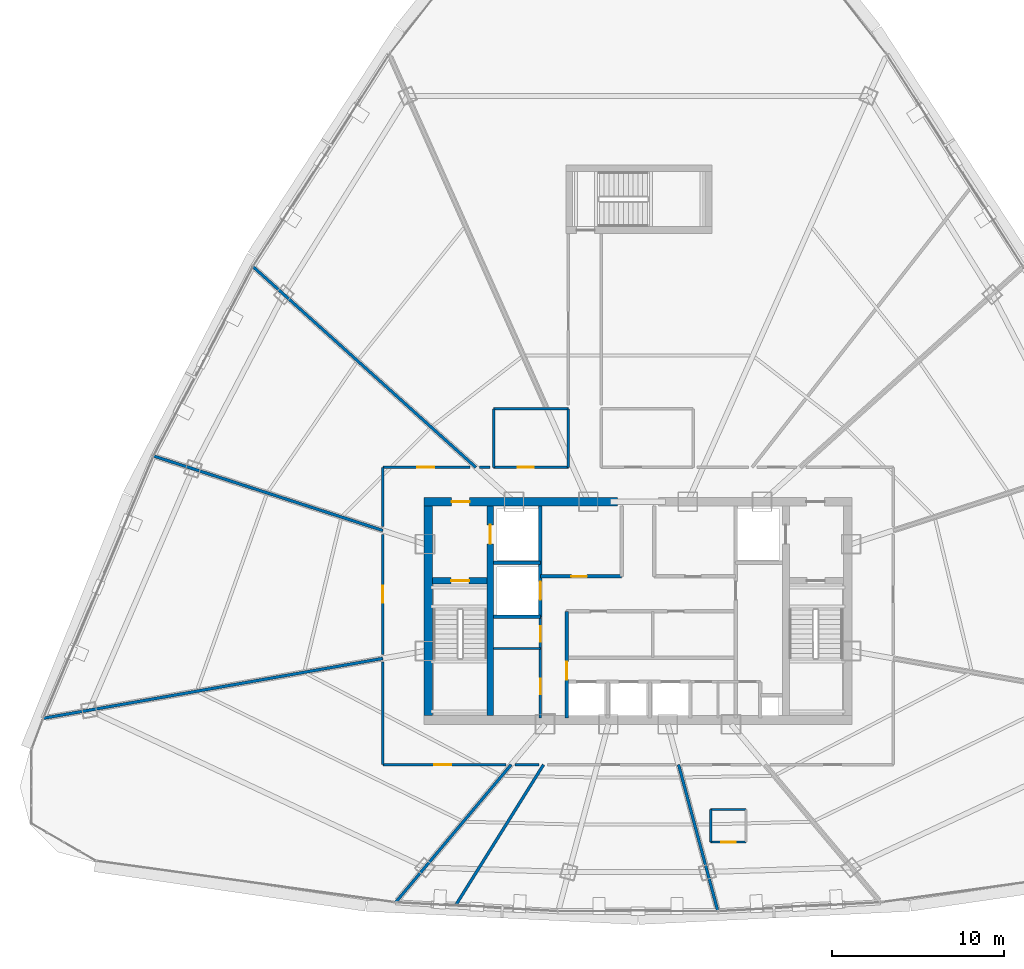
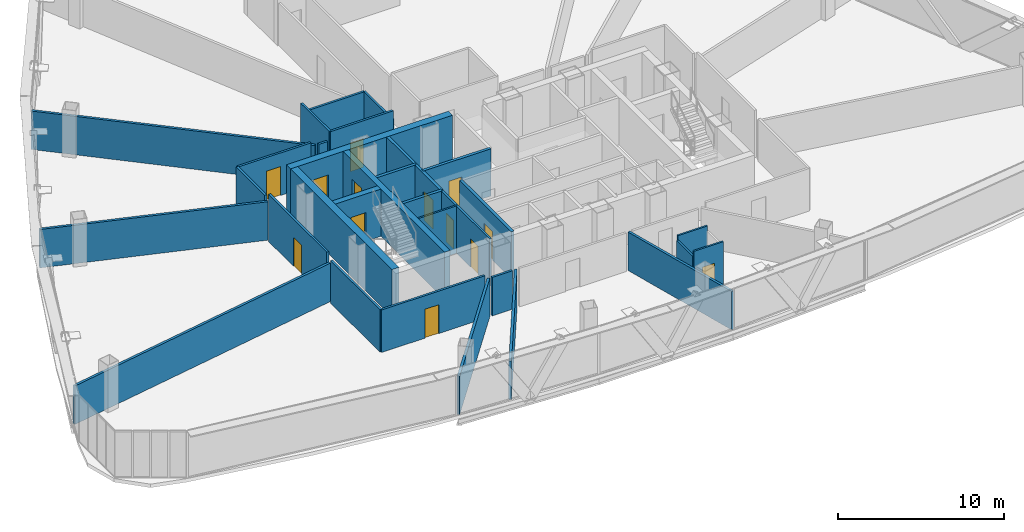
# One storey, part 30 of 36: 31 walls, 13 doors, 13 openings.
"""IFC4 building model written with IfcOpenShell, lengths in metres."""

from ifc_helpers import new_model, si_unit, direction, frame, frame_2d, origin, origin_with_axes, place, context, subcontext, project, spatial, rectangle, extrude, source, transform, mapped, material, layer, layer_set, type_object, element, fill, save


model = new_model("IFC4")

# Units and contexts
model_context = context("Model", 3, precision=1e-05, world=origin(), true_north=direction((0.0, 1.0)))
body_context = subcontext(model_context, "Body", "Model", "MODEL_VIEW")
ifc_project = project(units=[si_unit("LENGTHUNIT", "METRE"), si_unit("AREAUNIT", "SQUARE_METRE"), si_unit("VOLUMEUNIT", "CUBIC_METRE"), si_unit("PLANEANGLEUNIT", "RADIAN"), si_unit("MASSUNIT", "GRAM", prefix="KILO"), si_unit("THERMODYNAMICTEMPERATUREUNIT", "KELVIN"), si_unit("POWERUNIT", "WATT")], contexts=[model_context])

# Site, building, storey
site_placement = place(None, origin())
site = spatial("IfcSite", under=ifc_project, at=site_placement, CompositionType="ELEMENT")
building_placement = place(site_placement, origin())
building = spatial("IfcBuilding", under=site, at=building_placement, Name="Yunzhuo Pagoda Commons", CompositionType="ELEMENT")
storey_placement = place(building_placement, frame((0.0, 0.0, 248.260009765625)))
storey = spatial("IfcBuildingStorey", under=building, at=storey_placement, Name="L62", CompositionType="ELEMENT", Elevation=248.260009765625)

# Wall, opening, door
ifc_material_1 = material(Name="Concrete C50", Category="concrete")
ifc_layer_1 = layer(ifc_material_1, 0.5)
ifc_layer_set_1 = layer_set([ifc_layer_1], Name="Concrete C50")
wall_type_1 = type_object("IfcWallType", Name="W-C03 Upper Core Shear Wall 500", PredefinedType="SHEAR", material=ifc_layer_set_1)
wall_1_placement = place(storey_placement, frame((35.550048828125, 40.199951171875, 0.0), z_axis=(0.0, 0.0, 1.0), x_axis=(1.0, 0.0, 0.0)))
wall_1 = element("IfcWall", 1, at=wall_1_placement, inside=storey, type_object=wall_type_1, Name="L62 core shear wall NW", PredefinedType="SHEAR", context=body_context, shape_type="SweptSolid", body=[
    extrude(rectangle(XDim=11.25, YDim=0.5, at=frame_2d((5.625, 0.0))), origin(), (0.0, 0.0, 1.0), 3.469970703125),
])
opening_1_placement = place(wall_1_placement, frame((1.60009765625, 0.0, 0.0)))
opening_1 = element("IfcOpeningElement", 2, at=opening_1_placement, cuts=wall_1, Name="Opening D-02", PredefinedType="OPENING", context=body_context, shape_type="SweptSolid", body=[
    extrude(rectangle(XDim=1.050048828125, YDim=2.10009765625, at=frame_2d((0.52490234375, 1.050048828125))), frame((0.0, 0.260009765625, 0.0), z_axis=(0.0, -1.0, 0.0), x_axis=(1.0, 0.0, 0.0)), (0.0, 0.0, 1.0), 0.52001953125),
])
ifc_material_2 = material(Name="Galvanized fire-resisting metal leaf")
door_type_1 = type_object("IfcDoorType", Name="D-02 Firefighting Lobby & Refuge Fire Door 1050x2100", OperationType="NOTDEFINED", PredefinedType="DOOR", material=ifc_material_2)
shared_shape_1 = source(origin(), body_context, "Body", "SweptSolid", [
    extrude(rectangle(XDim=1.050048828125, YDim=2.10009765625, at=frame_2d((0.52490234375, 1.050048828125))), frame((0.0, 0.02490234375, 0.0), z_axis=(0.0, -1.0, 0.0), x_axis=(1.0, 0.0, 0.0)), (0.0, 0.0, 1.0), 0.050048828125),
])
door_1_placement = place(opening_1_placement, frame((1.050048828125, 0.0, 0.0), z_axis=(0.0, 0.0, 1.0), x_axis=(-1.0, 0.0, 0.0)))
door_1 = element("IfcDoor", 3, at=door_1_placement, inside=storey, type_object=door_type_1, Name="L62 Firefighting Lobby 1 fire door", OperationType="SINGLE_SWING_LEFT", OverallHeight=2.10009765625, OverallWidth=1.050048828125, PredefinedType="DOOR", context=body_context, shape_type="MappedRepresentation", body=[
    mapped(shared_shape_1, transform((0.0, 0.0, 0.0), scale=1.0)),
])
fill(opening_1, door_1)

# Wall
wall_2_placement = place(storey_placement, frame((35.800048828125, 27.75, 0.0), z_axis=(0.0, 0.0, 1.0), x_axis=(0.0, 1.0, 0.0)))
element("IfcWall", 4, at=wall_2_placement, inside=storey, type_object=wall_type_1, Name="L62 core shear wall W", PredefinedType="SHEAR", context=body_context, shape_type="SweptSolid", body=[
    extrude(rectangle(XDim=12.199951171875, YDim=0.5, at=frame_2d((6.10009765625, 0.0))), origin(), (0.0, 0.0, 1.0), 3.469970703125),
])

# Wall, openings, doors
ifc_material_3 = material(Name="Gypsum plasterboard on acoustic stud")
ifc_layer_2 = layer(ifc_material_3, 0.14990234375)
ifc_layer_set_2 = layer_set([ifc_layer_2], Name="Gypsum plasterboard on acoustic stud")
wall_type_2 = type_object("IfcWallType", Name="W-COR3 High-Zone Rated Corridor Wall 150", PredefinedType="PARTITIONING", material=ifc_layer_set_2)
wall_3_placement = place(storey_placement, frame((42.320068359375, 27.60009765625, 0.0), z_axis=(0.0, 0.0, 1.0), x_axis=(0.0, 1.0, 0.0)))
wall_3 = element("IfcWall", 5, at=wall_3_placement, inside=storey, type_object=wall_type_2, Name="L62 interior wall IW-L62-CSWE", PredefinedType="PARTITIONING", context=body_context, shape_type="SweptSolid", body=[
    extrude(rectangle(XDim=5.89990234375, YDim=0.14990234375, at=frame_2d((2.949951171875, 0.0))), origin(), (0.0, 0.0, 1.0), 3.469970703125),
])
opening_2_placement = place(wall_3_placement, frame((1.39990234375, 0.0, 0.0)))
opening_2 = element("IfcOpeningElement", 6, at=opening_2_placement, cuts=wall_3, Name="Opening D-03", PredefinedType="OPENING", context=body_context, shape_type="SweptSolid", body=[
    extrude(rectangle(XDim=0.89990234375, YDim=2.10009765625, at=frame_2d((0.449951171875, 1.050048828125))), frame((0.0, 0.0849609375, 0.0), z_axis=(0.0, -1.0, 0.0), x_axis=(1.0, 0.0, 0.0)), (0.0, 0.0, 1.0), 0.169921875),
])
opening_3_placement = place(wall_3_placement, frame((4.449951171875, 0.0, 0.0)))
opening_3 = element("IfcOpeningElement", 7, at=opening_3_placement, cuts=wall_3, Name="Opening D-03", PredefinedType="OPENING", context=body_context, shape_type="SweptSolid", body=[
    extrude(rectangle(XDim=0.89990234375, YDim=2.10009765625, at=frame_2d((0.449951171875, 1.050048828125))), frame((0.0, 0.0849609375, 0.0), z_axis=(0.0, -1.0, 0.0), x_axis=(1.0, 0.0, 0.0)), (0.0, 0.0, 1.0), 0.169921875),
])
door_type_2 = type_object("IfcDoorType", Name="D-03 Core Service Fire Door 900x2100", OperationType="NOTDEFINED", PredefinedType="DOOR", material=ifc_material_2)
shared_shape_2 = source(origin(), body_context, "Body", "SweptSolid", [
    extrude(rectangle(XDim=0.89990234375, YDim=2.10009765625, at=frame_2d((0.449951171875, 1.050048828125))), frame((0.0, 0.02490234375, 0.0), z_axis=(0.0, -1.0, 0.0), x_axis=(1.0, 0.0, 0.0)), (0.0, 0.0, 1.0), 0.050048828125),
])
door_2_placement = place(opening_2_placement, origin_with_axes())
door_2 = element("IfcDoor", 8, at=door_2_placement, inside=storey, type_object=door_type_2, Name="L62 service store door", OperationType="SINGLE_SWING_LEFT", OverallHeight=2.10009765625, OverallWidth=0.89990234375, PredefinedType="DOOR", context=body_context, shape_type="MappedRepresentation", body=[
    mapped(shared_shape_2, transform((0.0, 0.0, 0.0), scale=1.0)),
])
fill(opening_2, door_2)
door_3_placement = place(opening_3_placement, origin_with_axes())
door_3 = element("IfcDoor", 9, at=door_3_placement, inside=storey, type_object=door_type_2, Name="L62 switch closet door", OperationType="SINGLE_SWING_RIGHT", OverallHeight=2.10009765625, OverallWidth=0.89990234375, PredefinedType="DOOR", context=body_context, shape_type="MappedRepresentation", body=[
    mapped(shared_shape_2, transform((0.0, 0.0, 0.0), scale=1.0)),
])
fill(opening_3, door_3)

# Wall, opening, door
wall_4_placement = place(storey_placement, frame((39.60009765625, 42.199951171875, 0.0), z_axis=(0.0, 0.0, 1.0), x_axis=(1.0, 0.0, 0.0)))
wall_4 = element("IfcWall", 10, at=wall_4_placement, inside=storey, type_object=wall_type_2, Name="L62 interior wall IW-L62-TFWS", PredefinedType="PARTITIONING", context=body_context, shape_type="SweptSolid", body=[
    extrude(rectangle(XDim=4.349853515625, YDim=0.14990234375, at=frame_2d((2.1748046875, 0.0))), origin(), (0.0, 0.0, 1.0), 3.469970703125),
])
opening_4_placement = place(wall_4_placement, frame((1.39990234375, 0.0, 0.0)))
opening_4 = element("IfcOpeningElement", 11, at=opening_4_placement, cuts=wall_4, Name="Opening D-04", PredefinedType="OPENING", context=body_context, shape_type="SweptSolid", body=[
    extrude(rectangle(XDim=0.919921875, YDim=2.10009765625, at=frame_2d((0.4599609375, 1.050048828125))), frame((0.0, 0.0849609375, 0.0), z_axis=(0.0, -1.0, 0.0), x_axis=(1.0, 0.0, 0.0)), (0.0, 0.0, 1.0), 0.169921875),
])
ifc_material_4 = material(Name="Powder-coated aluminium and timber acoustic leaf", Category="wood")
door_type_3 = type_object("IfcDoorType", Name="D-04 Bedroom & Study Interior Door 920x2100", OperationType="NOTDEFINED", PredefinedType="DOOR", material=ifc_material_4)
shared_shape_3 = source(origin(), body_context, "Body", "SweptSolid", [
    extrude(rectangle(XDim=0.919921875, YDim=2.10009765625, at=frame_2d((0.4599609375, 1.050048828125))), frame((0.0, 0.02490234375, 0.0), z_axis=(0.0, -1.0, 0.0), x_axis=(1.0, 0.0, 0.0)), (0.0, 0.0, 1.0), 0.050048828125),
])
door_4_placement = place(opening_4_placement, frame((0.919921875, 0.0, 0.0), z_axis=(0.0, 0.0, 1.0), x_axis=(-1.0, 0.0, 0.0)))
door_4 = element("IfcDoor", 12, at=door_4_placement, inside=storey, type_object=door_type_3, Name="L62 laundry door", OperationType="SINGLE_SWING_LEFT", OverallHeight=2.10009765625, OverallWidth=0.919921875, PredefinedType="DOOR", context=body_context, shape_type="MappedRepresentation", body=[
    mapped(shared_shape_3, transform((0.0, 0.0, 0.0), scale=1.0)),
])
fill(opening_4, door_4)

# Walls
wall_5_placement = place(storey_placement, frame((39.60009765625, 45.60009765625, 0.0), z_axis=(0.0, 0.0, 1.0), x_axis=(1.0, 0.0, 0.0)))
element("IfcWall", 13, at=wall_5_placement, inside=storey, type_object=wall_type_2, Name="L62 interior wall IW-L62-TFWN", PredefinedType="PARTITIONING", context=body_context, shape_type="SweptSolid", body=[
    extrude(rectangle(XDim=4.349853515625, YDim=0.14990234375, at=frame_2d((2.1748046875, 0.0))), origin(), (0.0, 0.0, 1.0), 2.820068359375),
])
wall_6_placement = place(storey_placement, frame((39.60009765625, 42.199951171875, 0.0), z_axis=(0.0, 0.0, 1.0), x_axis=(0.0, 1.0, 0.0)))
element("IfcWall", 14, at=wall_6_placement, inside=storey, type_object=wall_type_2, Name="L62 interior wall IW-L62-TFWW", PredefinedType="PARTITIONING", context=body_context, shape_type="SweptSolid", body=[
    extrude(rectangle(XDim=3.400146484375, YDim=0.14990234375, at=frame_2d((1.7001953125, 0.0))), origin(), (0.0, 0.0, 1.0), 3.469970703125),
])
wall_7_placement = place(storey_placement, frame((43.949951171875, 42.199951171875, 0.0), z_axis=(0.0, 0.0, 1.0), x_axis=(0.0, 1.0, 0.0)))
element("IfcWall", 15, at=wall_7_placement, inside=storey, type_object=wall_type_2, Name="L62 interior wall IW-L62-TFWE", PredefinedType="PARTITIONING", context=body_context, shape_type="SweptSolid", body=[
    extrude(rectangle(XDim=3.400146484375, YDim=0.14990234375, at=frame_2d((1.7001953125, 0.0))), origin(), (0.0, 0.0, 1.0), 2.820068359375),
])
wall_8_placement = place(storey_placement, frame((33.14990234375, 24.89990234375, 0.0), z_axis=(0.0, 0.0, 1.0), x_axis=(0.0, 1.0, 0.0)))
element("IfcWall", 16, at=wall_8_placement, inside=storey, type_object=wall_type_2, Name="L62 interior wall IW-L62-CWL01", PredefinedType="PARTITIONING", context=body_context, shape_type="SweptSolid", body=[
    extrude(rectangle(XDim=5.958251953125, YDim=0.14990234375, at=frame_2d((2.97900390625, 0.0))), origin(), (0.0, 0.0, 1.0), 3.119873046875),
])

# Wall, opening, door
wall_9_placement = place(storey_placement, frame((33.14990234375, 31.30126953125, 0.0), z_axis=(0.0, 0.0, 1.0), x_axis=(0.0, 1.0, 0.0)))
wall_9 = element("IfcWall", 17, at=wall_9_placement, inside=storey, type_object=wall_type_2, Name="L62 interior wall IW-L62-CWL02", PredefinedType="PARTITIONING", context=body_context, shape_type="SweptSolid", body=[
    extrude(rectangle(XDim=7.004150390625, YDim=0.14990234375, at=frame_2d((3.501953125, 0.0))), origin(), (0.0, 0.0, 1.0), 3.469970703125),
])
opening_5_placement = place(wall_9_placement, frame((3.027099609375, 0.0, 0.0)))
opening_5 = element("IfcOpeningElement", 18, at=opening_5_placement, cuts=wall_9, Name="Opening D-08", PredefinedType="OPENING", context=body_context, shape_type="SweptSolid", body=[
    extrude(rectangle(XDim=0.97998046875, YDim=2.1201171875, at=frame_2d((0.489990234375, 1.06005859375))), frame((0.0, 0.0849609375, 0.0), z_axis=(0.0, -1.0, 0.0), x_axis=(1.0, 0.0, 0.0)), (0.0, 0.0, 1.0), 0.169921875),
])
door_type_4 = type_object("IfcDoorType", Name="D-08 High-Zone Suite Entrance Fire Door 980x2120", OperationType="NOTDEFINED", PredefinedType="DOOR", material=ifc_material_2)
shared_shape_4 = source(origin(), body_context, "Body", "SweptSolid", [
    extrude(rectangle(XDim=0.97998046875, YDim=2.1201171875, at=frame_2d((0.489990234375, 1.06005859375))), frame((0.0, 0.02490234375, 0.0), z_axis=(0.0, -1.0, 0.0), x_axis=(1.0, 0.0, 0.0)), (0.0, 0.0, 1.0), 0.050048828125),
])
door_5_placement = place(opening_5_placement, origin_with_axes())
door_5 = element("IfcDoor", 19, at=door_5_placement, inside=storey, type_object=door_type_4, Name="L62 unit 07 entrance door", OperationType="SINGLE_SWING_RIGHT", OverallHeight=2.1201171875, OverallWidth=0.97998046875, PredefinedType="DOOR", context=body_context, shape_type="MappedRepresentation", body=[
    mapped(shared_shape_4, transform((0.0, 0.0, 0.0), scale=1.0)),
])
fill(opening_5, door_5)

# Wall
wall_10_placement = place(storey_placement, frame((33.14990234375, 38.75634765625, 0.0), z_axis=(0.0, 0.0, 1.0), x_axis=(0.0, 1.0, 0.0)))
element("IfcWall", 20, at=wall_10_placement, inside=storey, type_object=wall_type_2, Name="L62 interior wall IW-L62-CWL03", PredefinedType="PARTITIONING", context=body_context, shape_type="SweptSolid", body=[
    extrude(rectangle(XDim=3.443603515625, YDim=0.14990234375, at=frame_2d((1.7216796875, 0.0))), origin(), (0.0, 0.0, 1.0), 3.119873046875),
])

# Wall, opening, door
wall_11_placement = place(storey_placement, frame((33.14990234375, 42.199951171875, 0.0), z_axis=(0.0, 0.0, 1.0), x_axis=(1.0, 0.0, 0.0)))
wall_11 = element("IfcWall", 21, at=wall_11_placement, inside=storey, type_object=wall_type_2, Name="L62 interior wall IW-L62-CWL04", PredefinedType="PARTITIONING", context=body_context, shape_type="SweptSolid", body=[
    extrude(rectangle(XDim=5.0810546875, YDim=0.14990234375, at=frame_2d((2.54052734375, 0.0))), origin(), (0.0, 0.0, 1.0), 3.119873046875),
])
opening_6_placement = place(wall_11_placement, frame((2.0, 0.0, 0.0)))
opening_6 = element("IfcOpeningElement", 22, at=opening_6_placement, cuts=wall_11, Name="Opening D-08", PredefinedType="OPENING", context=body_context, shape_type="SweptSolid", body=[
    extrude(rectangle(XDim=0.97998046875, YDim=2.1201171875, at=frame_2d((0.489990234375, 1.06005859375))), frame((0.0, 0.0849609375, 0.0), z_axis=(0.0, -1.0, 0.0), x_axis=(1.0, 0.0, 0.0)), (0.0, 0.0, 1.0), 0.169921875),
])
door_6_placement = place(opening_6_placement, origin_with_axes())
door_6 = element("IfcDoor", 23, at=door_6_placement, inside=storey, type_object=door_type_4, Name="L62 unit 06 entrance door", OperationType="SINGLE_SWING_LEFT", OverallHeight=2.1201171875, OverallWidth=0.97998046875, PredefinedType="DOOR", context=body_context, shape_type="MappedRepresentation", body=[
    mapped(shared_shape_4, transform((0.0, 0.0, 0.0), scale=1.0)),
])
fill(opening_6, door_6)

# Walls
wall_12_placement = place(storey_placement, frame((38.779541015625, 42.199951171875, 0.0), z_axis=(0.0, 0.0, 1.0), x_axis=(1.0, 0.0, 0.0)))
element("IfcWall", 24, at=wall_12_placement, inside=storey, type_object=wall_type_2, Name="L62 interior wall IW-L62-CWL05", PredefinedType="PARTITIONING", context=body_context, shape_type="SweptSolid", body=[
    extrude(rectangle(XDim=0.600341796875, YDim=0.14990234375, at=frame_2d((0.30029296875, 0.0))), origin(), (0.0, 0.0, 1.0), 2.820068359375),
])
wall_13_placement = place(storey_placement, frame((42.24169921875, 24.89990234375, 0.0), z_axis=(0.0, 0.0, 1.0), x_axis=(-1.0, 0.0, 0.0)))
element("IfcWall", 25, at=wall_13_placement, inside=storey, type_object=wall_type_2, Name="L62 interior wall IW-L62-CWL17", PredefinedType="PARTITIONING", context=body_context, shape_type="SweptSolid", body=[
    extrude(rectangle(XDim=1.406005859375, YDim=0.14990234375, at=frame_2d((0.703125, 0.0))), origin(), (0.0, 0.0, 1.0), 2.820068359375),
])

# Wall, opening, door
wall_14_placement = place(storey_placement, frame((40.32861328125, 24.89990234375, 0.0), z_axis=(0.0, 0.0, 1.0), x_axis=(-1.0, 0.0, 0.0)))
wall_14 = element("IfcWall", 26, at=wall_14_placement, inside=storey, type_object=wall_type_2, Name="L62 interior wall IW-L62-CWL18", PredefinedType="PARTITIONING", context=body_context, shape_type="SweptSolid", body=[
    extrude(rectangle(XDim=7.1787109375, YDim=0.14990234375, at=frame_2d((3.58935546875, 0.0))), origin(), (0.0, 0.0, 1.0), 3.119873046875),
])
opening_7_placement = place(wall_14_placement, frame((3.20068359375, 0.0, 0.0)))
opening_7 = element("IfcOpeningElement", 27, at=opening_7_placement, cuts=wall_14, Name="Opening D-08", PredefinedType="OPENING", context=body_context, shape_type="SweptSolid", body=[
    extrude(rectangle(XDim=0.97998046875, YDim=2.1201171875, at=frame_2d((0.489990234375, 1.06005859375))), frame((0.0, 0.0849609375, 0.0), z_axis=(0.0, -1.0, 0.0), x_axis=(1.0, 0.0, 0.0)), (0.0, 0.0, 1.0), 0.169921875),
])
door_7_placement = place(opening_7_placement, origin_with_axes())
door_7 = element("IfcDoor", 28, at=door_7_placement, inside=storey, type_object=door_type_4, Name="L62 unit 08 entrance door", OperationType="SINGLE_SWING_LEFT", OverallHeight=2.1201171875, OverallWidth=0.97998046875, PredefinedType="DOOR", context=body_context, shape_type="MappedRepresentation", body=[
    mapped(shared_shape_4, transform((0.0, 0.0, 0.0), scale=1.0)),
])
fill(opening_7, door_7)

# Wall
ifc_layer_3 = layer(ifc_material_3, 0.1201171875)
ifc_layer_set_3 = layer_set([ifc_layer_3], Name="Gypsum plasterboard on acoustic stud")
wall_type_3 = type_object("IfcWallType", Name="W-PRT1 Suite & Bathroom Partition 120", PredefinedType="PARTITIONING", material=ifc_layer_set_3)
wall_15_placement = place(storey_placement, frame((39.60009765625, 31.64990234375, 0.0), z_axis=(0.0, 0.0, 1.0), x_axis=(1.0, 0.0, 0.0)))
element("IfcWall", 29, at=wall_15_placement, inside=storey, type_object=wall_type_3, Name="L62 interior wall IW-L62-CD1", PredefinedType="PARTITIONING", context=body_context, shape_type="SweptSolid", body=[
    extrude(rectangle(XDim=2.719970703125, YDim=0.1201171875, at=frame_2d((1.35986328125, 0.0))), origin(), (0.0, 0.0, 1.0), 3.469970703125),
])

# Wall, opening, door
wall_16_placement = place(storey_placement, frame((52.22900390625, 20.389892578125, 0.0), z_axis=(0.0, 0.0, 1.0), x_axis=(1.0, 0.0, 0.0)))
wall_16 = element("IfcWall", 30, at=wall_16_placement, inside=storey, type_object=wall_type_3, Name="L62 interior wall IW-L62-B11S", PredefinedType="PARTITIONING", context=body_context, shape_type="SweptSolid", body=[
    extrude(rectangle(XDim=2.050048828125, YDim=0.1201171875, at=frame_2d((1.02490234375, 0.0))), origin(), (0.0, 0.0, 1.0), 3.469970703125),
])
opening_8_placement = place(wall_16_placement, frame((0.60009765625, 0.0, 0.0)))
opening_8 = element("IfcOpeningElement", 31, at=opening_8_placement, cuts=wall_16, Name="Opening D-05", PredefinedType="OPENING", context=body_context, shape_type="SweptSolid", body=[
    extrude(rectangle(XDim=0.85009765625, YDim=2.10009765625, at=frame_2d((0.425048828125, 1.050048828125))), frame((0.0, 0.070068359375, 0.0), z_axis=(0.0, -1.0, 0.0), x_axis=(1.0, 0.0, 0.0)), (0.0, 0.0, 1.0), 0.14013671875),
])
door_type_5 = type_object("IfcDoorType", Name="D-05 En-Suite Bathroom Door 850x2100", OperationType="NOTDEFINED", PredefinedType="DOOR", material=ifc_material_4)
shared_shape_5 = source(origin(), body_context, "Body", "SweptSolid", [
    extrude(rectangle(XDim=0.85009765625, YDim=2.10009765625, at=frame_2d((0.425048828125, 1.050048828125))), frame((0.0, 0.02490234375, 0.0), z_axis=(0.0, -1.0, 0.0), x_axis=(1.0, 0.0, 0.0)), (0.0, 0.0, 1.0), 0.050048828125),
])
door_8_placement = place(opening_8_placement, frame((0.85009765625, 0.0, 0.0), z_axis=(0.0, 0.0, 1.0), x_axis=(-1.0, 0.0, 0.0)))
door_8 = element("IfcDoor", 32, at=door_8_placement, inside=storey, type_object=door_type_5, Name="L62 unit 11 bathroom door", OperationType="SINGLE_SWING_RIGHT", OverallHeight=2.10009765625, OverallWidth=0.85009765625, PredefinedType="DOOR", context=body_context, shape_type="MappedRepresentation", body=[
    mapped(shared_shape_5, transform((0.0, 0.0, 0.0), scale=1.0)),
])
fill(opening_8, door_8)

# Walls
wall_17_placement = place(storey_placement, frame((54.279052734375, 22.2900390625, 0.0), z_axis=(0.0, 0.0, 1.0), x_axis=(-1.0, 0.0, 0.0)))
element("IfcWall", 33, at=wall_17_placement, inside=storey, type_object=wall_type_3, Name="L62 interior wall IW-L62-B11N", PredefinedType="PARTITIONING", context=body_context, shape_type="SweptSolid", body=[
    extrude(rectangle(XDim=2.050048828125, YDim=0.1201171875, at=frame_2d((1.02490234375, 0.0))), origin(), (0.0, 0.0, 1.0), 3.469970703125),
])
wall_18_placement = place(storey_placement, frame((52.22900390625, 22.2900390625, 0.0), z_axis=(0.0, 0.0, 1.0), x_axis=(0.0, -1.0, 0.0)))
element("IfcWall", 34, at=wall_18_placement, inside=storey, type_object=wall_type_3, Name="L62 interior wall IW-L62-B11W", PredefinedType="PARTITIONING", context=body_context, shape_type="SweptSolid", body=[
    extrude(rectangle(XDim=1.900146484375, YDim=0.1201171875, at=frame_2d((0.9501953125, 0.0))), origin(), (0.0, 0.0, 1.0), 3.119873046875),
])
ifc_layer_4 = layer(ifc_material_3, 0.169921875)
ifc_layer_set_4 = layer_set([ifc_layer_4], Name="Gypsum plasterboard on acoustic stud")
wall_type_4 = type_object("IfcWallType", Name="W-PRT4 High-Zone Demising Wall 170", PredefinedType="PARTITIONING", material=ifc_layer_set_4)
wall_19_placement = place(storey_placement, frame((38.559814453125, 42.199951171875, 0.0), z_axis=(0.0, 0.0, 1.0), x_axis=(-0.743140424774, 0.669135493802, 0.0)))
element("IfcWall", 35, at=wall_19_placement, inside=storey, type_object=wall_type_4, Name="L62 interior wall IW-L62-RAD05", PredefinedType="PARTITIONING", context=body_context, shape_type="SweptSolid", body=[
    extrude(rectangle(XDim=17.454833984375, YDim=0.169921875, at=frame_2d((8.7275390625, 0.0))), origin(), (0.0, 0.0, 1.0), 2.820068359375),
])
wall_20_placement = place(storey_placement, frame((33.14990234375, 38.525146484375, 0.0), z_axis=(0.0, 0.0, 1.0), x_axis=(-0.951060404644, 0.309005027011, 0.0)))
element("IfcWall", 36, at=wall_20_placement, inside=storey, type_object=wall_type_4, Name="L62 interior wall IW-L62-RAD06", PredefinedType="PARTITIONING", context=body_context, shape_type="SweptSolid", body=[
    extrude(rectangle(XDim=14.031982421875, YDim=0.169921875, at=frame_2d((7.01611328125, 0.0))), origin(), (0.0, 0.0, 1.0), 2.820068359375),
])
wall_21_placement = place(storey_placement, frame((33.14990234375, 31.08154296875, 0.0), z_axis=(0.0, 0.0, 1.0), x_axis=(-0.984808421785, -0.173644384824, 0.0)))
element("IfcWall", 37, at=wall_21_placement, inside=storey, type_object=wall_type_4, Name="L62 interior wall IW-L62-RAD07", PredefinedType="PARTITIONING", context=body_context, shape_type="SweptSolid", body=[
    extrude(rectangle(XDim=20.05908203125, YDim=0.169921875, at=frame_2d((10.029541015625, 0.0))), origin(), (0.0, 0.0, 1.0), 2.820068359375),
])
wall_22_placement = place(storey_placement, frame((40.615966796875, 24.89990234375, 0.0), z_axis=(0.0, 0.0, 1.0), x_axis=(-0.642788120563, -0.766044014443, 0.0)))
element("IfcWall", 38, at=wall_22_placement, inside=storey, type_object=wall_type_4, Name="L62 interior wall IW-L62-RAD08", PredefinedType="PARTITIONING", context=body_context, shape_type="SweptSolid", body=[
    extrude(rectangle(XDim=10.46240234375, YDim=0.169921875, at=frame_2d((5.231201171875, 0.0))), origin(), (0.0, 0.0, 1.0), 2.820068359375),
])
wall_23_placement = place(storey_placement, frame((42.501220703125, 24.89990234375, 0.0), z_axis=(0.0, 0.0, 1.0), x_axis=(-0.529930889386, -0.848040831844, 0.0)))
element("IfcWall", 39, at=wall_23_placement, inside=storey, type_object=wall_type_4, Name="L62 interior wall IW-L62-RAD09", PredefinedType="PARTITIONING", context=body_context, shape_type="SweptSolid", body=[
    extrude(rectangle(XDim=9.6748046875, YDim=0.169921875, at=frame_2d((4.83740234375, 0.0))), origin(), (0.0, 0.0, 1.0), 2.820068359375),
])
wall_24_placement = place(storey_placement, frame((50.35791015625, 24.89990234375, 0.0), z_axis=(0.0, 0.0, 1.0), x_axis=(0.258813459388, -0.965927322959, 0.0)))
element("IfcWall", 40, at=wall_24_placement, inside=storey, type_object=wall_type_4, Name="L62 interior wall IW-L62-RAD10", PredefinedType="PARTITIONING", context=body_context, shape_type="SweptSolid", body=[
    extrude(rectangle(XDim=8.832275390625, YDim=0.169921875, at=frame_2d((4.416015625, 0.0))), origin(), (0.0, 0.0, 1.0), 2.820068359375),
])

# Wall, opening, door
ifc_material_5 = material(Name="Concrete C60", Category="concrete")
ifc_layer_5 = layer(ifc_material_5, 0.39990234375)
ifc_layer_set_5 = layer_set([ifc_layer_5], Name="Concrete C60")
wall_type_5 = type_object("IfcWallType", Name="W-S01 Internal Core Shear Web 400", PredefinedType="SHEAR", material=ifc_layer_set_5)
wall_25_placement = place(storey_placement, frame((39.39990234375, 27.75, 0.0), z_axis=(0.0, 0.0, 1.0), x_axis=(0.0, 1.0, 0.0)))
wall_25 = element("IfcWall", 41, at=wall_25_placement, inside=storey, type_object=wall_type_5, Name="L62 core shear wall WEBW", PredefinedType="SHEAR", context=body_context, shape_type="SweptSolid", body=[
    extrude(rectangle(XDim=12.199951171875, YDim=0.39990234375, at=frame_2d((6.10009765625, 0.0))), origin(), (0.0, 0.0, 1.0), 3.469970703125),
])
opening_9_placement = place(wall_25_placement, frame((10.0, 0.0, 0.0)))
opening_9 = element("IfcOpeningElement", 42, at=opening_9_placement, cuts=wall_25, Name="Opening LD-01", PredefinedType="OPENING", context=body_context, shape_type="SweptSolid", body=[
    extrude(rectangle(XDim=1.10009765625, YDim=2.10009765625, at=frame_2d((0.550048828125, 1.050048828125))), frame((0.0, 0.2099609375, 0.0), z_axis=(0.0, -1.0, 0.0), x_axis=(1.0, 0.0, 0.0)), (0.0, 0.0, 1.0), 0.419921875),
])
door_type_6 = type_object("IfcDoorType", Name="LD-01 Firefighting Lift Landing Door 1100x2100", OperationType="DOUBLE_DOOR_SLIDING", PredefinedType="DOOR", material=ifc_material_2)
shared_shape_6 = source(origin(), body_context, "Body", "SweptSolid", [
    extrude(rectangle(XDim=1.10009765625, YDim=2.10009765625, at=frame_2d((0.550048828125, 1.050048828125))), frame((0.0, 0.02490234375, 0.0), z_axis=(0.0, -1.0, 0.0), x_axis=(1.0, 0.0, 0.0)), (0.0, 0.0, 1.0), 0.050048828125),
])
door_9_placement = place(opening_9_placement, frame((1.10009765625, 0.0, 0.0), z_axis=(0.0, 0.0, 1.0), x_axis=(-1.0, 0.0, 0.0)))
door_9 = element("IfcDoor", 43, at=door_9_placement, inside=storey, type_object=door_type_6, Name="L62 Firefighting lift FL-1 landing door", OperationType="DOUBLE_DOOR_SLIDING", OverallHeight=2.10009765625, OverallWidth=1.10009765625, PredefinedType="DOOR", context=body_context, shape_type="MappedRepresentation", body=[
    mapped(shared_shape_6, transform((0.0, 0.0, 0.0), scale=1.0)),
])
fill(opening_9, door_9)

wall_26_placement = place(storey_placement, frame((36.050048828125, 35.60009765625, 0.0), z_axis=(0.0, 0.0, 1.0), x_axis=(1.0, 0.0, 0.0)))
wall_26 = element("IfcWall", 44, at=wall_26_placement, inside=storey, type_object=wall_type_5, Name="L62 core shear wall STW", PredefinedType="SHEAR", context=body_context, shape_type="SweptSolid", body=[
    extrude(rectangle(XDim=3.14990234375, YDim=0.39990234375, at=frame_2d((1.574951171875, 0.0))), origin(), (0.0, 0.0, 1.0), 3.469970703125),
])
opening_10_placement = place(wall_26_placement, frame((1.070068359375, 0.0, 0.0)))
opening_10 = element("IfcOpeningElement", 45, at=opening_10_placement, cuts=wall_26, Name="Opening D-01", PredefinedType="OPENING", context=body_context, shape_type="SweptSolid", body=[
    extrude(rectangle(XDim=1.050048828125, YDim=2.10009765625, at=frame_2d((0.52490234375, 1.050048828125))), frame((0.0, 0.2099609375, 0.0), z_axis=(0.0, -1.0, 0.0), x_axis=(1.0, 0.0, 0.0)), (0.0, 0.0, 1.0), 0.419921875),
])
door_type_7 = type_object("IfcDoorType", Name="D-01 Smokeproof Stair Fire Door 1050x2100", OperationType="NOTDEFINED", PredefinedType="DOOR", material=ifc_material_2)
door_10_placement = place(opening_10_placement, frame((1.050048828125, 0.0, 0.0), z_axis=(0.0, 0.0, 1.0), x_axis=(-1.0, 0.0, 0.0)))
door_10 = element("IfcDoor", 46, at=door_10_placement, inside=storey, type_object=door_type_7, Name="L62 Stair ST1 fire door", OperationType="SINGLE_SWING_LEFT", OverallHeight=2.10009765625, OverallWidth=1.050048828125, PredefinedType="DOOR", context=body_context, shape_type="MappedRepresentation", body=[
    mapped(shared_shape_1, transform((0.0, 0.0, 0.0), scale=1.0)),
])
fill(opening_10, door_10)

ifc_material_6 = material(Name="Concrete C40", Category="concrete")
ifc_layer_6 = layer(ifc_material_6, 0.199951171875)
ifc_layer_set_6 = layer_set([ifc_layer_6], Name="Concrete C40")
wall_type_6 = type_object("IfcWallType", Name="W-SHF Shaft & Stair Enclosure Wall 200", PredefinedType="SOLIDWALL", material=ifc_layer_set_6)
wall_27_placement = place(storey_placement, frame((42.320068359375, 33.5, 0.0), z_axis=(0.0, 0.0, 1.0), x_axis=(0.0, 1.0, 0.0)))
wall_27 = element("IfcWall", 47, at=wall_27_placement, inside=storey, type_object=wall_type_6, Name="L62 interior wall IW-L62-FL1E", PredefinedType="SOLIDWALL", context=body_context, shape_type="SweptSolid", body=[
    extrude(rectangle(XDim=6.449951171875, YDim=0.199951171875, at=frame_2d((3.22509765625, 0.0))), origin(), (0.0, 0.0, 1.0), 3.469970703125),
])
opening_11_placement = place(wall_27_placement, frame((1.0, 0.0, 0.0)))
opening_11 = element("IfcOpeningElement", 48, at=opening_11_placement, cuts=wall_27, Name="Opening LD-02", PredefinedType="OPENING", context=body_context, shape_type="SweptSolid", body=[
    extrude(rectangle(XDim=1.050048828125, YDim=2.10009765625, at=frame_2d((0.52490234375, 1.050048828125))), frame((0.0, 0.10986328125, 0.0), z_axis=(0.0, -1.0, 0.0), x_axis=(1.0, 0.0, 0.0)), (0.0, 0.0, 1.0), 0.219970703125),
])
door_type_8 = type_object("IfcDoorType", Name="LD-02 Passenger Lift Landing Door 1050x2100", OperationType="DOUBLE_DOOR_SLIDING", PredefinedType="DOOR", material=ifc_material_2)
door_11_placement = place(opening_11_placement, origin_with_axes())
door_11 = element("IfcDoor", 49, at=door_11_placement, inside=storey, type_object=door_type_8, Name="L62 Service lift SL-1 landing door", OperationType="DOUBLE_DOOR_SLIDING", OverallHeight=2.10009765625, OverallWidth=1.050048828125, PredefinedType="DOOR", context=body_context, shape_type="MappedRepresentation", body=[
    mapped(shared_shape_1, transform((0.0, 0.0, 0.0), scale=1.0)),
])
fill(opening_11, door_11)

# Walls
for number, where, z_axis, x_axis, name in (
    (50, (39.60009765625, 36.64990234375, 0.0), (0.0, 0.0, 1.0), (1.0, 0.0, 0.0), "L62 interior wall IW-L62-FL1S"),
    (51, (39.60009765625, 33.5, 0.0), (0.0, 0.0, 1.0), (1.0, 0.0, 0.0), "L62 interior wall IW-L62-SL1S"),
):
    element("IfcWall", number, at=place(storey_placement, frame(where, z_axis=z_axis, x_axis=x_axis)), inside=storey, type_object=wall_type_6, Name=name, PredefinedType="SOLIDWALL", context=body_context, shape_type="SweptSolid", body=[
        extrude(rectangle(XDim=2.719970703125, YDim=0.199951171875, at=frame_2d((1.35986328125, 0.0))), origin(), (0.0, 0.0, 1.0), 3.469970703125),
    ])

# Wall, opening, door
wall_28_placement = place(storey_placement, frame((42.320068359375, 35.85009765625, 0.0), z_axis=(0.0, 0.0, 1.0), x_axis=(1.0, 0.0, 0.0)))
wall_28 = element("IfcWall", 52, at=wall_28_placement, inside=storey, type_object=wall_type_6, Name="L62 interior wall IW-L62-LBNW", PredefinedType="SOLIDWALL", context=body_context, shape_type="SweptSolid", body=[
    extrude(rectangle(XDim=4.72998046875, YDim=0.199951171875, at=frame_2d((2.364990234375, 0.0))), origin(), (0.0, 0.0, 1.0), 3.469970703125),
])
opening_12_placement = place(wall_28_placement, frame((1.800048828125, 0.0, 0.0)))
opening_12 = element("IfcOpeningElement", 53, at=opening_12_placement, cuts=wall_28, Name="Opening D-03", PredefinedType="OPENING", context=body_context, shape_type="SweptSolid", body=[
    extrude(rectangle(XDim=0.89990234375, YDim=2.10009765625, at=frame_2d((0.449951171875, 1.050048828125))), frame((0.0, 0.10986328125, 0.0), z_axis=(0.0, -1.0, 0.0), x_axis=(1.0, 0.0, 0.0)), (0.0, 0.0, 1.0), 0.219970703125),
])
door_12_placement = place(opening_12_placement, frame((0.89990234375, 0.0, 0.0), z_axis=(0.0, 0.0, 1.0), x_axis=(-1.0, 0.0, 0.0)))
door_12 = element("IfcDoor", 54, at=door_12_placement, inside=storey, type_object=door_type_2, Name="L62 core west store door", OperationType="SINGLE_SWING_LEFT", OverallHeight=2.10009765625, OverallWidth=0.89990234375, PredefinedType="DOOR", context=body_context, shape_type="MappedRepresentation", body=[
    mapped(shared_shape_2, transform((0.0, 0.0, 0.0), scale=1.0)),
])
fill(opening_12, door_12)

wall_29_placement = place(storey_placement, frame((43.85009765625, 27.60009765625, 0.0), z_axis=(0.0, 0.0, 1.0), x_axis=(0.0, 1.0, 0.0)))
wall_29 = element("IfcWall", 55, at=wall_29_placement, inside=storey, type_object=wall_type_6, Name="L62 interior wall IW-L62-PLMW", PredefinedType="SOLIDWALL", context=body_context, shape_type="SweptSolid", body=[
    extrude(rectangle(XDim=6.219970703125, YDim=0.199951171875, at=frame_2d((3.10986328125, 0.0))), origin(), (0.0, 0.0, 1.0), 3.469970703125),
])
opening_13_placement = place(wall_29_placement, frame((2.25, 0.0, 0.0)))
opening_13 = element("IfcOpeningElement", 56, at=opening_13_placement, cuts=wall_29, Name="Opening D-02", PredefinedType="OPENING", context=body_context, shape_type="SweptSolid", body=[
    extrude(rectangle(XDim=1.050048828125, YDim=2.10009765625, at=frame_2d((0.52490234375, 1.050048828125))), frame((0.0, 0.10986328125, 0.0), z_axis=(0.0, -1.0, 0.0), x_axis=(1.0, 0.0, 0.0)), (0.0, 0.0, 1.0), 0.219970703125),
])
door_13_placement = place(opening_13_placement, frame((1.050048828125, 0.0, 0.0), z_axis=(0.0, 0.0, 1.0), x_axis=(-1.0, 0.0, 0.0)))
door_13 = element("IfcDoor", 57, at=door_13_placement, inside=storey, type_object=door_type_1, Name="L62 High-bank hall west door", OperationType="SINGLE_SWING_LEFT", OverallHeight=2.10009765625, OverallWidth=1.050048828125, PredefinedType="DOOR", context=body_context, shape_type="MappedRepresentation", body=[
    mapped(shared_shape_1, transform((0.0, 0.0, 0.0), scale=1.0)),
])
fill(opening_13, door_13)

save(model, "model.ifc")
